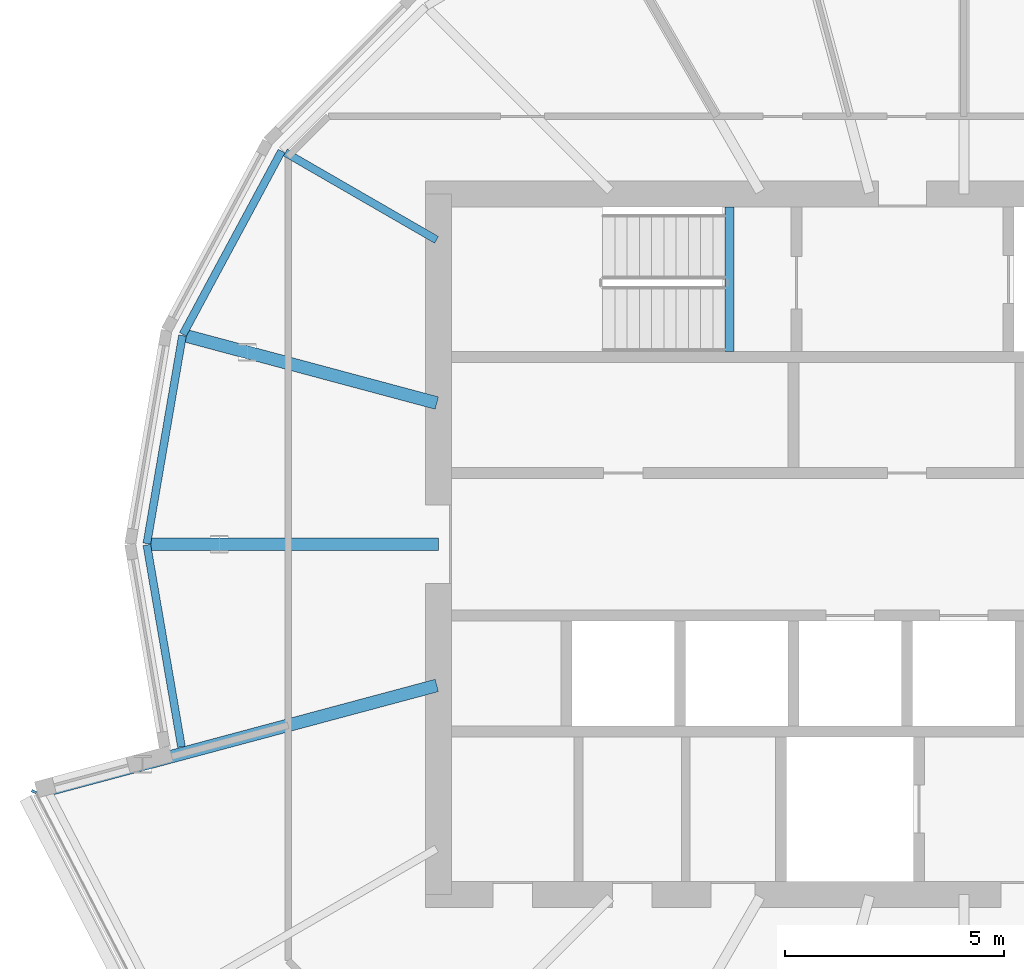
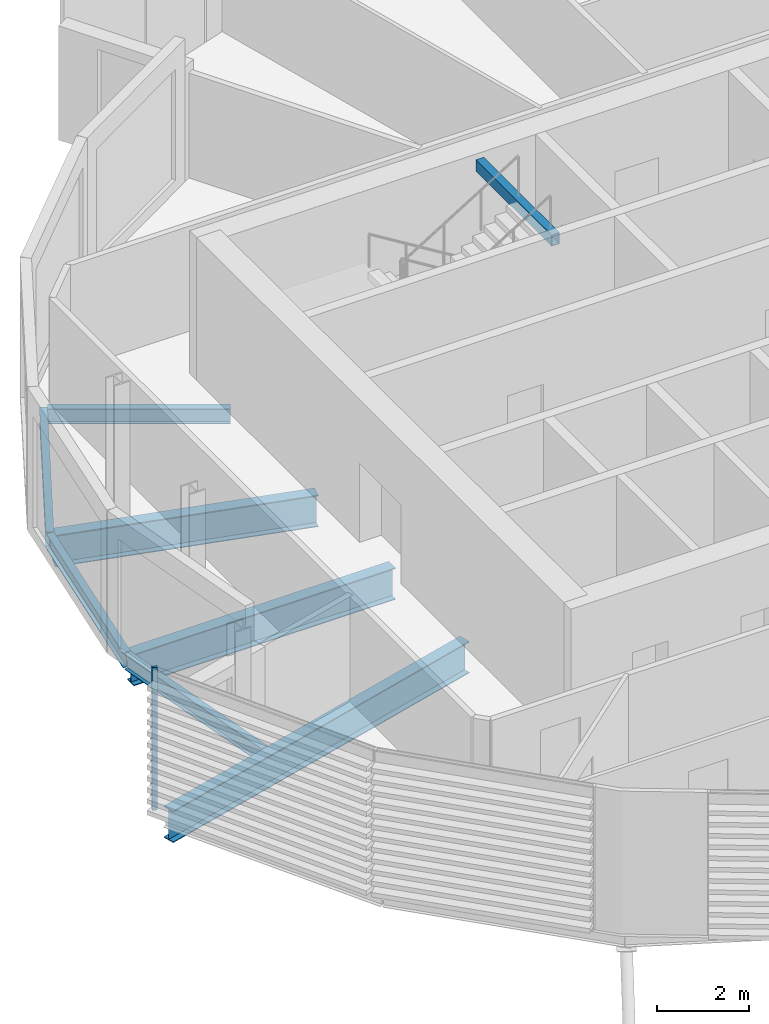
# One storey, part 5 of 36: 8 beams, 1 member, 1 element without a shape of its own.
"""IFC4 building model written with IfcOpenShell, lengths in metres."""

from ifc_helpers import new_model, si_unit, direction, frame, origin, origin_2d, place, context, subcontext, project, spatial, rectangle, hollow_rectangle, i_section, extrude, material, material_profile, profile_set, type_object, element, aggregate, save


model = new_model("IFC4")

# Units and contexts
model_context = context("Model", 3, precision=1e-05, world=origin(), true_north=direction((0.0, 1.0)))
body_context = subcontext(model_context, "Body", "Model", "MODEL_VIEW")
ifc_project = project(units=[si_unit("LENGTHUNIT", "METRE"), si_unit("AREAUNIT", "SQUARE_METRE"), si_unit("VOLUMEUNIT", "CUBIC_METRE"), si_unit("PLANEANGLEUNIT", "RADIAN"), si_unit("MASSUNIT", "GRAM", prefix="KILO")], contexts=[model_context])

# Site, building, storey
site_placement = place(None, origin())
site = spatial("IfcSite", under=ifc_project, at=site_placement, CompositionType="ELEMENT")
building_placement = place(site_placement, origin())
building = spatial("IfcBuilding", under=site, at=building_placement, Name="Rimbun Link Towers", CompositionType="ELEMENT")
storey_placement = place(building_placement, frame((0.0, 0.0, 174.10009765625)))
storey = spatial("IfcBuildingStorey", under=building, at=storey_placement, Name="L42", CompositionType="ELEMENT", Elevation=174.10009765625)

# Curtain wall, member
ifc_material_1 = material(Name="Aluminium 6063-T6 and low-iron glass", Category="aluminium")
curtain_wall_type = type_object("IfcCurtainWallType", Name="CW1-Z3 unitised vision wall (zone 3)", PredefinedType="NOTDEFINED", material=ifc_material_1)
curtain_wall_placement = place(storey_placement, origin())
curtain_wall = element("IfcCurtainWall", 1, at=curtain_wall_placement, inside=storey, type_object=curtain_wall_type, Name="CW1 L42 T1", PredefinedType="NOTDEFINED")
ifc_material_2 = material(Name="Aluminium 6063-T6", Category="aluminium")
ifc_material_profile_1 = material_profile(ifc_material_2, rectangle(XDim=0.1201171875, YDim=0.06005859375, at=origin_2d()), Name="MULLION 60X120")
ifc_profile_set_1 = profile_set([ifc_material_profile_1], Name="Aluminium 6063-T6")
member_type = type_object("IfcMemberType", Name="CW1 mullion 60X120", PredefinedType="MULLION", material=ifc_profile_set_1)
member_placement = place(storey_placement, frame((-52.989990234375, -5.65234375, 0.0), z_axis=(0.0, 0.0, 1.0), x_axis=(-0.914812198449, 0.403879488918, 0.0)))
member = element("IfcMember", 2, at=member_placement, type_object=member_type, Name="CW1 mullion", PredefinedType="MULLION", context=body_context, shape_type="SweptSolid", body=[
    extrude(rectangle(XDim=0.1201171875, YDim=0.06005859375, at=origin_2d()), origin(), (0.0, 0.0, 1.0), 3.7998046875),
])
aggregate(curtain_wall, [member])

# Beams
ifc_material_3 = material(Name="Steel S355J2", Category="steel")
ifc_material_profile_2 = material_profile(ifc_material_3, hollow_rectangle(XDim=0.199951171875, YDim=0.300048828125, WallThickness=0.011962890625, at=origin_2d()), Name="BOX 300x200x12")
ifc_profile_set_2 = profile_set([ifc_material_profile_2], Name="Steel S355J2")
beam_type_1 = type_object("IfcBeamType", Name="Stair trimmer beam BOX 300x200x12", PredefinedType="BEAM", material=ifc_profile_set_2)
beam_1_placement = place(storey_placement, frame((-37.10009765625, 7.699951171875, 3.5), z_axis=(0.0, -1.0, 0.0), x_axis=(1.0, 0.0, 0.0)))
element("IfcBeam", 3, at=beam_1_placement, inside=storey, type_object=beam_type_1, Name="L42 ST1 stair beam 1", PredefinedType="BEAM", context=body_context, shape_type="SweptSolid", body=[
    extrude(hollow_rectangle(XDim=0.199951171875, YDim=0.300048828125, WallThickness=0.011962890625, at=origin_2d()), origin(), (0.0, 0.0, 1.0), 3.300048828125),
])
ifc_material_4 = material(Name="Steel S355J2", Category="steel")
ifc_material_profile_3 = material_profile(ifc_material_4, i_section(OverallWidth=0.177978515625, OverallDepth=0.406494140625, WebThickness=0.0078125, FlangeThickness=0.0126953125, at=origin_2d()), Name="UB 406x178x60")
ifc_profile_set_3 = profile_set([ifc_material_profile_3], Name="Steel S355J2")
beam_type_2 = type_object("IfcBeamType", Name="UB 406x178x60", PredefinedType="BEAM", material=ifc_profile_set_3)
beam_2_placement = place(storey_placement, frame((-43.79541015625, 6.954345703125, -0.353271484375), z_axis=(-0.866012320003, 0.50002266109, 0.0), x_axis=(-0.50002266109, -0.866012320003, 0.0)))
element("IfcBeam", 4, at=beam_2_placement, inside=storey, type_object=beam_type_2, Name="Radial beam T1 L42 10", PredefinedType="BEAM", context=body_context, shape_type="SweptSolid", body=[
    extrude(i_section(OverallWidth=0.177978515625, OverallDepth=0.406494140625, WebThickness=0.0078125, FlangeThickness=0.0126953125, at=origin_2d()), origin(), (0.0, 0.0, 1.0), 3.989013671875),
])
beam_3_placement = place(storey_placement, frame((-47.3349609375, 8.981689453125, -0.353271484375), z_axis=(-0.474020203639, -0.880513967261, 0.0), x_axis=(0.880513967261, -0.474020203639, 0.0)))
element("IfcBeam", 5, at=beam_3_placement, inside=storey, type_object=beam_type_2, Name="Edge beam T1 L42 10 recess", PredefinedType="BEAM", context=body_context, shape_type="SweptSolid", body=[
    extrude(i_section(OverallWidth=0.177978515625, OverallDepth=0.406494140625, WebThickness=0.0078125, FlangeThickness=0.0126953125, at=origin_2d()), origin(), (0.0, 0.0, 1.0), 4.75439453125),
])
beam_4_placement = place(storey_placement, frame((-49.5986328125, 4.7666015625, -0.353271484375), z_axis=(-0.168783846977, -0.98565308958, 0.0), x_axis=(0.98565308958, -0.168783846977, 0.0)))
element("IfcBeam", 6, at=beam_4_placement, inside=storey, type_object=beam_type_2, Name="Edge beam T1 L42 11 recess", PredefinedType="BEAM", context=body_context, shape_type="SweptSolid", body=[
    extrude(i_section(OverallWidth=0.177978515625, OverallDepth=0.406494140625, WebThickness=0.0078125, FlangeThickness=0.0126953125, at=origin_2d()), origin(), (0.0, 0.0, 1.0), 4.819580078125),
])
beam_5_placement = place(storey_placement, frame((-50.412109375, -0.01611328125, -0.353271484375), z_axis=(0.168797263742, -0.985650791991, 0.0), x_axis=(0.985650791991, 0.168797263742, 0.0)))
element("IfcBeam", 7, at=beam_5_placement, inside=storey, type_object=beam_type_2, Name="Edge beam T1 L42 12 recess", PredefinedType="BEAM", context=body_context, shape_type="SweptSolid", body=[
    extrude(i_section(OverallWidth=0.177978515625, OverallDepth=0.406494140625, WebThickness=0.0078125, FlangeThickness=0.0126953125, at=origin_2d()), origin(), (0.0, 0.0, 1.0), 4.678955078125),
])
ifc_material_5 = material(Name="Steel S355J2", Category="steel")
ifc_material_profile_4 = material_profile(ifc_material_5, i_section(OverallWidth=0.29248046875, OverallDepth=0.8408203125, WebThickness=0.0126953125, FlangeThickness=0.021728515625, at=origin_2d()), Name="UB 838x292x194")
ifc_profile_set_4 = profile_set([ifc_material_profile_4], Name="Steel S355J2")
beam_type_3 = type_object("IfcBeamType", Name="UB 838x292x194", PredefinedType="BEAM", material=ifc_profile_set_4)
beam_6_placement = place(storey_placement, frame((-43.788818359375, 3.225830078125, -0.570556640625), z_axis=(-0.96592633727, 0.258817138087, 0.0), x_axis=(-0.258817138087, -0.96592633727, 0.0)))
element("IfcBeam", 8, at=beam_6_placement, inside=storey, type_object=beam_type_3, Name="Radial beam T1 L42 11", PredefinedType="BEAM", context=body_context, shape_type="SweptSolid", body=[
    extrude(i_section(OverallWidth=0.29248046875, OverallDepth=0.8408203125, WebThickness=0.0126953125, FlangeThickness=0.021728515625, at=origin_2d()), origin(), (0.0, 0.0, 1.0), 5.922119140625),
])
beam_7_placement = place(storey_placement, frame((-43.7509765625, 0.0, -0.570556640625), z_axis=(-1.0, 0.0, 0.0), x_axis=(0.0, -1.0, 0.0)))
element("IfcBeam", 9, at=beam_7_placement, inside=storey, type_object=beam_type_3, Name="Radial beam T1 L42 12", PredefinedType="BEAM", context=body_context, shape_type="SweptSolid", body=[
    extrude(i_section(OverallWidth=0.29248046875, OverallDepth=0.8408203125, WebThickness=0.0126953125, FlangeThickness=0.021728515625, at=origin_2d()), origin(), (0.0, 0.0, 1.0), 6.573974609375),
])
beam_8_placement = place(storey_placement, frame((-43.788818359375, -3.225830078125, -0.570556640625), z_axis=(-0.965927262063, -0.258813686662, 0.0), x_axis=(0.258813686662, -0.965927262063, 0.0)))
element("IfcBeam", 10, at=beam_8_placement, inside=storey, type_object=beam_type_3, Name="Radial beam T1 L42 13", PredefinedType="BEAM", context=body_context, shape_type="SweptSolid", body=[
    extrude(i_section(OverallWidth=0.29248046875, OverallDepth=0.8408203125, WebThickness=0.0126953125, FlangeThickness=0.021728515625, at=origin_2d()), origin(), (0.0, 0.0, 1.0), 9.120849609375),
])

save(model, "model.ifc")
